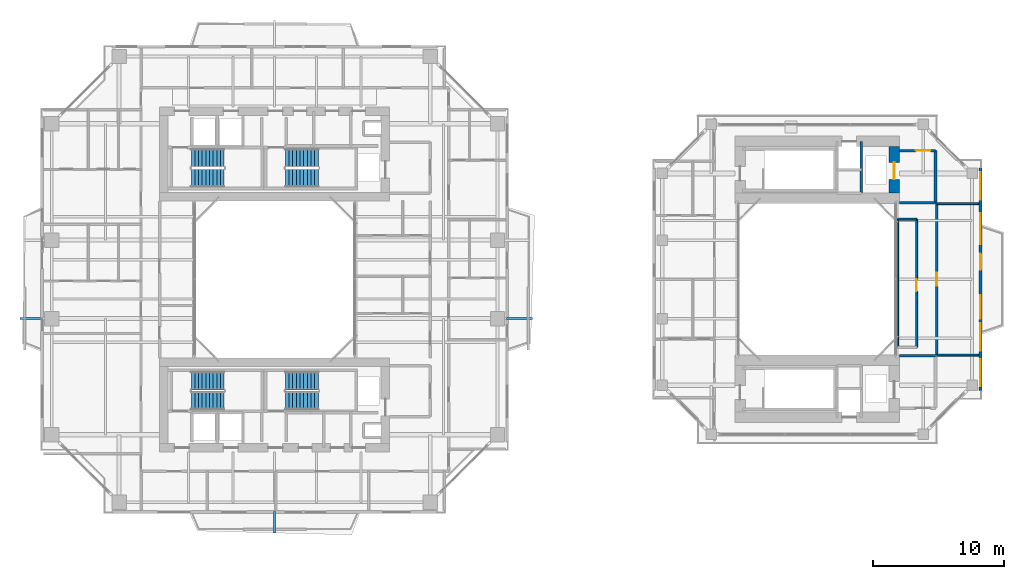
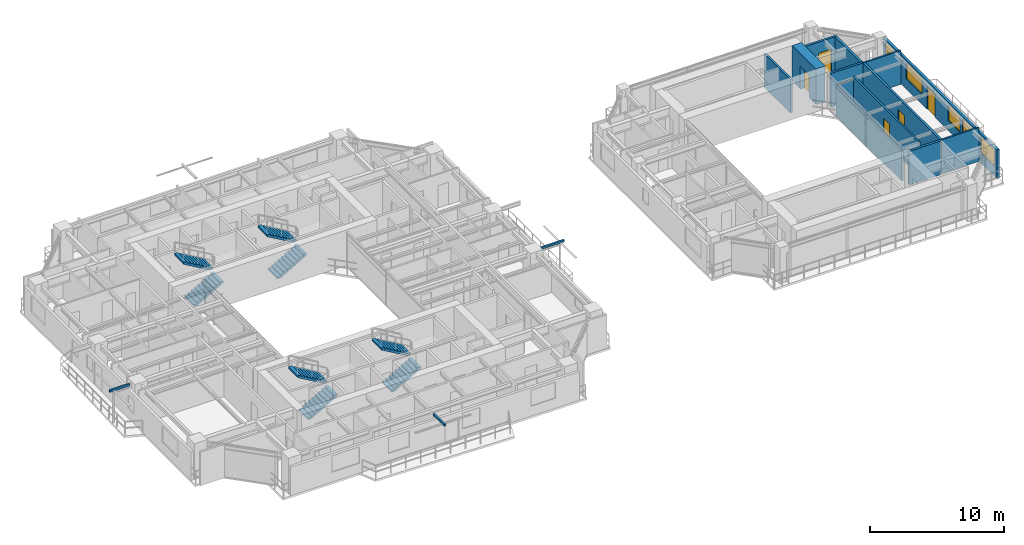
# One storey, part 19 of 24: 13 walls, 8 stair flights, 5 doors, 5 windows, 3 discrete accessories, 10 openings, 4 elements without a shape of their own.
"""IFC4 building model written with IfcOpenShell, lengths in metres."""

from ifc_helpers import new_model, si_unit, direction, frame, frame_2d, origin, origin_2d, place, context, subcontext, project, spatial, polyline, rectangle, outline, extrude, source, transform, mapped, material, layer, layer_set, type_object, element, fill, aggregate, save


model = new_model("IFC4")

# Units and contexts
model_context = context("Model", 3, precision=1e-05, world=origin(), true_north=direction((0.0, 1.0)))
body_context = subcontext(model_context, "Body", "Model", "MODEL_VIEW")
ifc_project = project(units=[si_unit("LENGTHUNIT", "METRE"), si_unit("AREAUNIT", "SQUARE_METRE"), si_unit("VOLUMEUNIT", "CUBIC_METRE"), si_unit("PLANEANGLEUNIT", "RADIAN"), si_unit("MASSUNIT", "GRAM", prefix="KILO"), si_unit("THERMODYNAMICTEMPERATUREUNIT", "KELVIN"), si_unit("POWERUNIT", "WATT")], contexts=[model_context])

# Site, building, storey
site_placement = place(None, origin())
site = spatial("IfcSite", under=ifc_project, at=site_placement, CompositionType="ELEMENT")
building_placement = place(site_placement, origin())
building = spatial("IfcBuilding", under=site, at=building_placement, Name="Qiaomeng Ring Towers", CompositionType="ELEMENT")
storey_placement = place(building_placement, frame((0.0, 0.0, 110.0)))
storey = spatial("IfcBuildingStorey", under=building, at=storey_placement, Name="L31", CompositionType="ELEMENT", Elevation=110.0)

# Wall, openings, windows, door
ifc_material_1 = material(Name="Precast concrete C40", Category="concrete")
ifc_layer_1 = layer(ifc_material_1, 0.219970703125, Name="Precast concrete C40")
ifc_layer_set_1 = layer_set([ifc_layer_1], Name="Precast concrete C40")
wall_type_1 = type_object("IfcWallType", Name="ARC-WL-EW2", PredefinedType="STANDARD", material=ifc_layer_set_1)
wall_1_placement = place(storey_placement, frame((72.989990234375, 14.5, 0.0), z_axis=(0.0, 0.0, 1.0), x_axis=(0.0, 1.0, 0.0)))
wall_1 = element("IfcWall", 1, at=wall_1_placement, inside=storey, type_object=wall_type_1, Name="L31 Companion East Wall", PredefinedType="STANDARD", context=body_context, shape_type="SweptSolid", body=[
    extrude(rectangle(XDim=17.0, YDim=0.219970703125, at=frame_2d((8.5, 0.0))), origin(), (0.0, 0.0, 1.0), 2.610107421875),
])
opening_1_placement = place(wall_1_placement, frame((9.25, 0.0, 0.0)))
opening_1 = element("IfcOpeningElement", 2, at=opening_1_placement, cuts=wall_1, Name="Opening BD1", PredefinedType="OPENING", context=body_context, shape_type="SweptSolid", body=[
    extrude(rectangle(XDim=1.199951171875, YDim=2.10009765625, at=frame_2d((0.60009765625, 1.050048828125))), frame((0.0, 0.119873046875, 0.0), z_axis=(0.0, -1.0, 0.0), x_axis=(1.0, 0.0, 0.0)), (0.0, 0.0, 1.0), 0.239990234375),
])
opening_2_placement = place(wall_1_placement, frame((0.3076171875, 0.0, 0.89990234375)))
opening_2 = element("IfcOpeningElement", 3, at=opening_2_placement, cuts=wall_1, Name="Opening WN4", PredefinedType="OPENING", context=body_context, shape_type="SweptSolid", body=[
    extrude(rectangle(XDim=2.10009765625, YDim=1.5, at=frame_2d((1.050048828125, 0.75))), frame((0.0, 0.119873046875, 0.0), z_axis=(0.0, -1.0, 0.0), x_axis=(1.0, 0.0, 0.0)), (0.0, 0.0, 1.0), 0.239990234375),
])
opening_3_placement = place(wall_1_placement, frame((5.47509765625, 0.0, 0.89990234375)))
opening_3 = element("IfcOpeningElement", 4, at=opening_3_placement, cuts=wall_1, Name="Opening WN1", PredefinedType="OPENING", context=body_context, shape_type="SweptSolid", body=[
    extrude(rectangle(XDim=1.800048828125, YDim=1.449951171875, at=frame_2d((0.89990234375, 0.72509765625))), frame((0.0, 0.119873046875, 0.0), z_axis=(0.0, -1.0, 0.0), x_axis=(1.0, 0.0, 0.0)), (0.0, 0.0, 1.0), 0.239990234375),
])
opening_4_placement = place(wall_1_placement, frame((14.592529296875, 0.0, 0.89990234375)))
opening_4 = element("IfcOpeningElement", 5, at=opening_4_placement, cuts=wall_1, Name="Opening WN4", PredefinedType="OPENING", context=body_context, shape_type="SweptSolid", body=[
    extrude(rectangle(XDim=2.10009765625, YDim=1.5, at=frame_2d((1.050048828125, 0.75))), frame((0.0, 0.119873046875, 0.0), z_axis=(0.0, -1.0, 0.0), x_axis=(1.0, 0.0, 0.0)), (0.0, 0.0, 1.0), 0.239990234375),
])
opening_5_placement = place(wall_1_placement, frame((3.054931640625, 0.0, 0.89990234375)))
opening_5 = element("IfcOpeningElement", 6, at=opening_5_placement, cuts=wall_1, Name="Opening WN4", PredefinedType="OPENING", context=body_context, shape_type="SweptSolid", body=[
    extrude(rectangle(XDim=2.10009765625, YDim=1.5, at=frame_2d((1.050048828125, 0.75))), frame((0.0, 0.119873046875, 0.0), z_axis=(0.0, -1.0, 0.0), x_axis=(1.0, 0.0, 0.0)), (0.0, 0.0, 1.0), 0.239990234375),
])
opening_6_placement = place(wall_1_placement, frame((11.16748046875, 0.0, 0.89990234375)))
opening_6 = element("IfcOpeningElement", 7, at=opening_6_placement, cuts=wall_1, Name="Opening WN6", PredefinedType="OPENING", context=body_context, shape_type="SweptSolid", body=[
    extrude(rectangle(XDim=2.39990234375, YDim=1.5, at=frame_2d((1.199951171875, 0.75))), frame((0.0, 0.119873046875, 0.0), z_axis=(0.0, -1.0, 0.0), x_axis=(1.0, 0.0, 0.0)), (0.0, 0.0, 1.0), 0.239990234375),
])
ifc_material_2 = material(Name="Low-E dark-grey laminated double glazing", Category="glass")
window_type_1 = type_object("IfcWindowType", Name="ARC-WN-4", PartitioningType="TRIPLE_PANEL_VERTICAL", PredefinedType="WINDOW", material=ifc_material_2)
shared_shape_1 = source(origin(), body_context, "Body", "SweptSolid", [
    extrude(rectangle(XDim=2.10009765625, YDim=1.5, at=frame_2d((1.050048828125, 0.75))), frame((0.0, 0.030029296875, 0.0), z_axis=(0.0, -1.0, 0.0), x_axis=(1.0, 0.0, 0.0)), (0.0, 0.0, 1.0), 0.06005859375),
])
window_1_placement = place(opening_2_placement, origin())
window_1 = element("IfcWindow", 8, at=window_1_placement, inside=storey, type_object=window_type_1, Name="L31 Exterior Window WN6", OverallHeight=1.5, OverallWidth=2.10009765625, PartitioningType="TRIPLE_PANEL_VERTICAL", PredefinedType="WINDOW", context=body_context, shape_type="MappedRepresentation", body=[
    mapped(shared_shape_1, transform((0.0, 0.0, 0.0), x_axis=(1.0, 0.0, 0.0), y_axis=(0.0, 1.0, 0.0), z_axis=(0.0, 0.0, 1.0), scale=1.0)),
])
fill(opening_2, window_1)
window_2_placement = place(opening_4_placement, origin())
window_2 = element("IfcWindow", 9, at=window_2_placement, inside=storey, type_object=window_type_1, Name="L31 Exterior Window WN4", OverallHeight=1.5, OverallWidth=2.10009765625, PartitioningType="TRIPLE_PANEL_VERTICAL", PredefinedType="WINDOW", context=body_context, shape_type="MappedRepresentation", body=[
    mapped(shared_shape_1, transform((0.0, 0.0, 0.0), x_axis=(1.0, 0.0, 0.0), y_axis=(0.0, 1.0, 0.0), z_axis=(0.0, 0.0, 1.0), scale=1.0)),
])
fill(opening_4, window_2)
window_3_placement = place(opening_5_placement, origin())
window_3 = element("IfcWindow", 10, at=window_3_placement, inside=storey, type_object=window_type_1, Name="L31 Exterior Window WN4", OverallHeight=1.5, OverallWidth=2.10009765625, PartitioningType="TRIPLE_PANEL_VERTICAL", PredefinedType="WINDOW", context=body_context, shape_type="MappedRepresentation", body=[
    mapped(shared_shape_1, transform((0.0, 0.0, 0.0), x_axis=(1.0, 0.0, 0.0), y_axis=(0.0, 1.0, 0.0), z_axis=(0.0, 0.0, 1.0), scale=1.0)),
])
fill(opening_5, window_3)
window_type_2 = type_object("IfcWindowType", Name="ARC-WN-1", PartitioningType="DOUBLE_PANEL_VERTICAL", PredefinedType="WINDOW", material=ifc_material_2)
shared_shape_2 = source(origin(), body_context, "Body", "SweptSolid", [
    extrude(rectangle(XDim=1.800048828125, YDim=1.449951171875, at=frame_2d((0.89990234375, 0.72509765625))), frame((0.0, 0.030029296875, 0.0), z_axis=(0.0, -1.0, 0.0), x_axis=(1.0, 0.0, 0.0)), (0.0, 0.0, 1.0), 0.06005859375),
])
window_4_placement = place(opening_3_placement, origin())
window_4 = element("IfcWindow", 11, at=window_4_placement, inside=storey, type_object=window_type_2, Name="L31 Exterior Window WN1", OverallHeight=1.449951171875, OverallWidth=1.800048828125, PartitioningType="DOUBLE_PANEL_VERTICAL", PredefinedType="WINDOW", context=body_context, shape_type="MappedRepresentation", body=[
    mapped(shared_shape_2, transform((0.0, 0.0, 0.0), x_axis=(1.0, 0.0, 0.0), y_axis=(0.0, 1.0, 0.0), z_axis=(0.0, 0.0, 1.0), scale=1.0)),
])
fill(opening_3, window_4)
door_type_1 = type_object("IfcDoorType", Name="ARC-DR-BD1", OperationType="NOTDEFINED", PredefinedType="DOOR", material=ifc_material_2)
shared_shape_3 = source(origin(), body_context, "Body", "SweptSolid", [
    extrude(rectangle(XDim=1.199951171875, YDim=2.10009765625, at=frame_2d((0.60009765625, 1.050048828125))), frame((0.0, 0.02490234375, 0.0), z_axis=(0.0, -1.0, 0.0), x_axis=(1.0, 0.0, 0.0)), (0.0, 0.0, 1.0), 0.050048828125),
])
door_1_placement = place(opening_1_placement, origin())
door_1 = element("IfcDoor", 12, at=door_1_placement, inside=storey, type_object=door_type_1, Name="L31 Companion East Balcony Door", OperationType="SINGLE_SWING_LEFT", OverallHeight=2.10009765625, OverallWidth=1.199951171875, PredefinedType="DOOR", context=body_context, shape_type="MappedRepresentation", body=[
    mapped(shared_shape_3, transform((0.0, 0.0, 0.0), x_axis=(1.0, 0.0, 0.0), y_axis=(0.0, 1.0, 0.0), z_axis=(0.0, 0.0, 1.0), scale=1.0)),
])
fill(opening_1, door_1)
window_type_3 = type_object("IfcWindowType", Name="ARC-WN-6", PartitioningType="TRIPLE_PANEL_VERTICAL", PredefinedType="WINDOW", material=ifc_material_2)
shared_shape_4 = source(origin(), body_context, "Body", "SweptSolid", [
    extrude(rectangle(XDim=2.39990234375, YDim=1.5, at=frame_2d((1.199951171875, 0.75))), frame((0.0, 0.030029296875, 0.0), z_axis=(0.0, -1.0, 0.0), x_axis=(1.0, 0.0, 0.0)), (0.0, 0.0, 1.0), 0.06005859375),
])
window_5_placement = place(opening_6_placement, origin())
window_5 = element("IfcWindow", 13, at=window_5_placement, inside=storey, type_object=window_type_3, Name="L31 Exterior Window WN6", OverallHeight=1.5, OverallWidth=2.39990234375, PartitioningType="TRIPLE_PANEL_VERTICAL", PredefinedType="WINDOW", context=body_context, shape_type="MappedRepresentation", body=[
    mapped(shared_shape_4, transform((0.0, 0.0, 0.0), x_axis=(1.0, 0.0, 0.0), y_axis=(0.0, 1.0, 0.0), z_axis=(0.0, 0.0, 1.0), scale=1.0)),
])
fill(opening_6, window_5)

# Walls
ifc_material_3 = material(Name="Autoclaved aerated concrete block", Category="concrete")
ifc_layer_2 = layer(ifc_material_3, 0.199951171875, Name="Autoclaved aerated concrete block")
ifc_layer_set_2 = layer_set([ifc_layer_2], Name="Autoclaved aerated concrete block")
wall_type_2 = type_object("IfcWallType", Name="ARC-WL-PW1", PredefinedType="PARTITIONING", material=ifc_layer_set_2)
wall_2_placement = place(storey_placement, frame((66.800048828125, 28.85009765625, 0.0), z_axis=(0.0, 0.0, 1.0), x_axis=(1.0, 0.0, 0.0)))
element("IfcWall", 14, at=wall_2_placement, inside=storey, type_object=wall_type_2, Name="L31 Interior Wall PW1", PredefinedType="PARTITIONING", context=body_context, shape_type="SweptSolid", body=[
    extrude(rectangle(XDim=2.75, YDim=0.199951171875, at=frame_2d((1.375, 0.0))), origin(), (0.0, 0.0, 1.0), 3.070068359375),
])
wall_3_placement = place(storey_placement, frame((69.550048828125, 28.85009765625, 0.0), z_axis=(0.0, 0.0, 1.0), x_axis=(0.0, 1.0, 0.0)))
element("IfcWall", 15, at=wall_3_placement, inside=storey, type_object=wall_type_2, Name="L31 Interior Wall PW1", PredefinedType="PARTITIONING", context=body_context, shape_type="SweptSolid", body=[
    extrude(rectangle(XDim=4.0, YDim=0.199951171875, at=frame_2d((2.0, 0.0))), origin(), (0.0, 0.0, 1.0), 3.070068359375),
])

# Wall, opening, door
wall_4_placement = place(storey_placement, frame((66.800048828125, 32.85009765625, 0.0), z_axis=(0.0, 0.0, 1.0), x_axis=(1.0, 0.0, 0.0)))
wall_4 = element("IfcWall", 16, at=wall_4_placement, inside=storey, type_object=wall_type_2, Name="L31 Interior Wall PW1", PredefinedType="PARTITIONING", context=body_context, shape_type="SweptSolid", body=[
    extrude(rectangle(XDim=2.75, YDim=0.199951171875, at=frame_2d((1.375, 0.0))), origin(), (0.0, 0.0, 1.0), 3.070068359375),
])
opening_7_placement = place(wall_4_placement, frame((1.25, 0.0, 0.0)))
opening_7 = element("IfcOpeningElement", 17, at=opening_7_placement, cuts=wall_4, Name="Opening FD3", PredefinedType="OPENING", context=body_context, shape_type="SweptSolid", body=[
    extrude(rectangle(XDim=1.10009765625, YDim=2.050048828125, at=frame_2d((0.550048828125, 1.02490234375))), frame((0.0, 0.10986328125, 0.0), z_axis=(0.0, -1.0, 0.0), x_axis=(1.0, 0.0, 0.0)), (0.0, 0.0, 1.0), 0.219970703125),
])
ifc_material_4 = material(Name="Galvanised steel", Category="steel")
door_type_2 = type_object("IfcDoorType", Name="ARC-DR-FD3", OperationType="NOTDEFINED", PredefinedType="DOOR", material=ifc_material_4)
shared_shape_5 = source(origin(), body_context, "Body", "SweptSolid", [
    extrude(rectangle(XDim=1.10009765625, YDim=2.050048828125, at=frame_2d((0.550048828125, 1.02490234375))), frame((0.0, 0.02490234375, 0.0), z_axis=(0.0, -1.0, 0.0), x_axis=(1.0, 0.0, 0.0)), (0.0, 0.0, 1.0), 0.050048828125),
])
door_2_placement = place(opening_7_placement, origin())
door_2 = element("IfcDoor", 18, at=door_2_placement, inside=storey, type_object=door_type_2, Name="L31 Door FD3", OperationType="SINGLE_SWING_RIGHT", OverallHeight=2.050048828125, OverallWidth=1.10009765625, PredefinedType="DOOR", context=body_context, shape_type="MappedRepresentation", body=[
    mapped(shared_shape_5, transform((0.0, 0.0, 0.0), x_axis=(1.0, 0.0, 0.0), y_axis=(0.0, 1.0, 0.0), z_axis=(0.0, 0.0, 1.0), scale=1.0)),
])
fill(opening_7, door_2)

# Wall
wall_5_placement = place(storey_placement, frame((66.800048828125, 17.14990234375, 0.0), z_axis=(0.0, 0.0, 1.0), x_axis=(1.0, 0.0, 0.0)))
element("IfcWall", 19, at=wall_5_placement, inside=storey, type_object=wall_type_2, Name="L31 Interior Wall PW1", PredefinedType="PARTITIONING", context=body_context, shape_type="SweptSolid", body=[
    extrude(rectangle(XDim=2.75, YDim=0.199951171875, at=frame_2d((1.375, 0.0))), origin(), (0.0, 0.0, 1.0), 3.070068359375),
])

# Wall, opening, door
ifc_layer_3 = layer(ifc_material_3, 0.179931640625, Name="Autoclaved aerated concrete block")
ifc_layer_set_3 = layer_set([ifc_layer_3], Name="Autoclaved aerated concrete block")
wall_type_3 = type_object("IfcWallType", Name="ARC-WL-PW2", PredefinedType="PARTITIONING", material=ifc_layer_set_3)
wall_6_placement = place(storey_placement, frame((69.64990234375, 17.199951171875, 0.0), z_axis=(0.0, 0.0, 1.0), x_axis=(0.0, 1.0, 0.0)))
wall_6 = element("IfcWall", 20, at=wall_6_placement, inside=storey, type_object=wall_type_3, Name="L31 Interior Wall PW2", PredefinedType="PARTITIONING", context=body_context, shape_type="SweptSolid", body=[
    extrude(rectangle(XDim=11.60009765625, YDim=0.179931640625, at=frame_2d((5.800048828125, 0.0))), origin(), (0.0, 0.0, 1.0), 3.070068359375),
])
opening_8_placement = place(wall_6_placement, frame((5.300048828125, 0.0, 0.0)))
opening_8 = element("IfcOpeningElement", 21, at=opening_8_placement, cuts=wall_6, Name="Opening FD4", PredefinedType="OPENING", context=body_context, shape_type="SweptSolid", body=[
    extrude(rectangle(XDim=1.0, YDim=2.050048828125, at=frame_2d((0.5, 1.02490234375))), frame((0.0, 0.099853515625, 0.0), z_axis=(0.0, -1.0, 0.0), x_axis=(1.0, 0.0, 0.0)), (0.0, 0.0, 1.0), 0.199951171875),
])
ifc_material_5 = material(Name="Engineered fire-rated oak timber", Category="wood")
door_type_3 = type_object("IfcDoorType", Name="ARC-DR-FD4", OperationType="NOTDEFINED", PredefinedType="DOOR", material=ifc_material_5)
shared_shape_6 = source(origin(), body_context, "Body", "SweptSolid", [
    extrude(rectangle(XDim=1.0, YDim=2.050048828125, at=frame_2d((0.5, 1.02490234375))), frame((0.0, 0.02490234375, 0.0), z_axis=(0.0, -1.0, 0.0), x_axis=(1.0, 0.0, 0.0)), (0.0, 0.0, 1.0), 0.050048828125),
])
door_3_placement = place(opening_8_placement, origin())
door_3 = element("IfcDoor", 22, at=door_3_placement, inside=storey, type_object=door_type_3, Name="L31 Door FD4", OperationType="SINGLE_SWING_RIGHT", OverallHeight=2.050048828125, OverallWidth=1.0, PredefinedType="DOOR", context=body_context, shape_type="MappedRepresentation", body=[
    mapped(shared_shape_6, transform((0.0, 0.0, 0.0), x_axis=(1.0, 0.0, 0.0), y_axis=(0.0, 1.0, 0.0), z_axis=(0.0, 0.0, 1.0), scale=1.0)),
])
fill(opening_8, door_3)

# Walls
ifc_material_6 = material(Name="Gypsum fireboard steel-stud partition", Category="steel")
ifc_layer_4 = layer(ifc_material_6, 0.14990234375, Name="Gypsum fireboard steel-stud partition")
ifc_layer_set_4 = layer_set([ifc_layer_4], Name="Gypsum fireboard steel-stud partition")
wall_type_4 = type_object("IfcWallType", Name="ARC-WL-PW3", PredefinedType="PARTITIONING", material=ifc_layer_set_4)
for number, where, z_axis, x_axis, name in (
    (23, (69.64990234375, 17.199951171875, 0.0), (0.0, 0.0, 1.0), (1.0, 0.0, 0.0), "L31 Interior Wall PW3"),
    (24, (69.64990234375, 28.800048828125, 0.0), (0.0, 0.0, 1.0), (1.0, 0.0, 0.0), "L31 Interior Wall PW3"),
):
    element("IfcWall", number, at=place(storey_placement, frame(where, z_axis=z_axis, x_axis=x_axis)), inside=storey, type_object=wall_type_4, Name=name, PredefinedType="PARTITIONING", context=body_context, shape_type="SweptSolid", body=[
        extrude(rectangle(XDim=3.2001953125, YDim=0.14990234375, at=frame_2d((1.60009765625, 0.0))), origin(), (0.0, 0.0, 1.0), 3.070068359375),
    ])

# Wall, opening, door
wall_7_placement = place(storey_placement, frame((68.10009765625, 17.800048828125, 0.0), z_axis=(0.0, 0.0, 1.0), x_axis=(0.0, 1.0, 0.0)))
wall_7 = element("IfcWall", 25, at=wall_7_placement, inside=storey, type_object=wall_type_4, Name="L31 Interior Wall PW3", PredefinedType="PARTITIONING", context=body_context, shape_type="SweptSolid", body=[
    extrude(rectangle(XDim=9.800048828125, YDim=0.14990234375, at=frame_2d((4.89990234375, 0.0))), origin(), (0.0, 0.0, 1.0), 3.070068359375),
])
opening_9_placement = place(wall_7_placement, frame((4.300048828125, 0.0, 0.0)))
opening_9 = element("IfcOpeningElement", 26, at=opening_9_placement, cuts=wall_7, Name="Opening ID1", PredefinedType="OPENING", context=body_context, shape_type="SweptSolid", body=[
    extrude(rectangle(XDim=0.89990234375, YDim=2.050048828125, at=frame_2d((0.449951171875, 1.02490234375))), frame((0.0, 0.0849609375, 0.0), z_axis=(0.0, -1.0, 0.0), x_axis=(1.0, 0.0, 0.0)), (0.0, 0.0, 1.0), 0.169921875),
])
ifc_material_7 = material(Name="Engineered oak timber", Category="wood")
door_type_4 = type_object("IfcDoorType", Name="ARC-DR-ID1", OperationType="NOTDEFINED", PredefinedType="DOOR", material=ifc_material_7)
shared_shape_7 = source(origin(), body_context, "Body", "SweptSolid", [
    extrude(rectangle(XDim=0.89990234375, YDim=2.050048828125, at=frame_2d((0.449951171875, 1.02490234375))), frame((0.0, 0.02490234375, 0.0), z_axis=(0.0, -1.0, 0.0), x_axis=(1.0, 0.0, 0.0)), (0.0, 0.0, 1.0), 0.050048828125),
])
door_4_placement = place(opening_9_placement, origin())
door_4 = element("IfcDoor", 27, at=door_4_placement, inside=storey, type_object=door_type_4, Name="L31 Door ID1", OperationType="SINGLE_SWING_LEFT", OverallHeight=2.050048828125, OverallWidth=0.89990234375, PredefinedType="DOOR", context=body_context, shape_type="MappedRepresentation", body=[
    mapped(shared_shape_7, transform((0.0, 0.0, 0.0), x_axis=(1.0, 0.0, 0.0), y_axis=(0.0, 1.0, 0.0), z_axis=(0.0, 0.0, 1.0), scale=1.0)),
])
fill(opening_9, door_4)

# Walls
wall_8_placement = place(storey_placement, frame((66.64990234375, 27.60009765625, 0.0), z_axis=(0.0, 0.0, 1.0), x_axis=(1.0, 0.0, 0.0)))
element("IfcWall", 28, at=wall_8_placement, inside=storey, type_object=wall_type_4, Name="L31 Interior Wall PW3", PredefinedType="PARTITIONING", context=body_context, shape_type="SweptSolid", body=[
    extrude(rectangle(XDim=1.4501953125, YDim=0.14990234375, at=frame_2d((0.72509765625, 0.0))), origin(), (0.0, 0.0, 1.0), 2.821044921875),
])
wall_9_placement = place(storey_placement, frame((66.64990234375, 17.800048828125, 0.0), z_axis=(0.0, 0.0, 1.0), x_axis=(0.0, 1.0, 0.0)))
element("IfcWall", 29, at=wall_9_placement, inside=storey, type_object=wall_type_4, Name="L31 Interior Wall PW3", PredefinedType="PARTITIONING", context=body_context, shape_type="SweptSolid", body=[
    extrude(rectangle(XDim=9.800048828125, YDim=0.14990234375, at=frame_2d((4.89990234375, 0.0))), origin(), (0.0, 0.0, 1.0), 2.6650390625),
])
ifc_material_8 = material(Name="Concrete C40", Category="concrete")
ifc_layer_5 = layer(ifc_material_8, 0.199951171875, Name="Concrete C40")
ifc_layer_set_5 = layer_set([ifc_layer_5], Name="Concrete C40")
wall_type_5 = type_object("IfcWallType", Name="STR-WL-STSHAFT", PredefinedType="SHEAR", material=ifc_layer_set_5)
wall_10_placement = place(storey_placement, frame((63.8798828125, 29.60009765625, 0.0), z_axis=(0.0, 0.0, 1.0), x_axis=(0.0, 1.0, 0.0)))
element("IfcWall", 30, at=wall_10_placement, inside=storey, type_object=wall_type_5, Name="L31 Companion Lift Shaft East Wall N", PredefinedType="SHEAR", context=body_context, shape_type="SweptSolid", body=[
    extrude(rectangle(XDim=3.949951171875, YDim=0.179931640625, at=frame_2d((1.97509765625, 0.0))), origin(), (0.0, 0.0, 1.0), 3.070068359375),
])

# Wall, opening, door
ifc_material_9 = material(Name="Concrete C60", Category="concrete")
ifc_layer_6 = layer(ifc_material_9, 0.800048828125, Name="Concrete C60")
ifc_layer_set_6 = layer_set([ifc_layer_6], Name="Concrete C60")
wall_type_6 = type_object("IfcWallType", Name="STR-WL-SW1", PredefinedType="SHEAR", material=ifc_layer_set_6)
wall_11_placement = place(storey_placement, frame((66.39990234375, 29.60009765625, 0.0), z_axis=(0.0, 0.0, 1.0), x_axis=(0.0, 1.0, 0.0)))
wall_11 = element("IfcWall", 31, at=wall_11_placement, inside=storey, type_object=wall_type_6, Name="L31 T2NC east core shear wall", PredefinedType="SHEAR", context=body_context, shape_type="SweptSolid", body=[
    extrude(rectangle(XDim=3.5498046875, YDim=0.800048828125, at=frame_2d((1.77490234375, 0.0))), origin(), (0.0, 0.0, 1.0), 3.25),
])
opening_10_placement = place(wall_11_placement, frame((1.050048828125, 0.0, 0.0)))
opening_10 = element("IfcOpeningElement", 32, at=opening_10_placement, cuts=wall_11, Name="Opening LD2", PredefinedType="OPENING", context=body_context, shape_type="SweptSolid", body=[
    extrude(rectangle(XDim=1.300048828125, YDim=2.050048828125, at=frame_2d((0.64990234375, 1.02490234375))), frame((0.0, 0.409912109375, 0.0), z_axis=(0.0, -1.0, 0.0), x_axis=(1.0, 0.0, 0.0)), (0.0, 0.0, 1.0), 0.820068359375),
])
ifc_material_10 = material(Name="Stainless steel 316", Category="steel")
door_type_5 = type_object("IfcDoorType", Name="ARC-DR-LD2", OperationType="NOTDEFINED", PredefinedType="DOOR", material=ifc_material_10)
shared_shape_8 = source(origin(), body_context, "Body", "SweptSolid", [
    extrude(rectangle(XDim=1.300048828125, YDim=2.050048828125, at=frame_2d((0.64990234375, 1.02490234375))), frame((0.0, 0.02490234375, 0.0), z_axis=(0.0, -1.0, 0.0), x_axis=(1.0, 0.0, 0.0)), (0.0, 0.0, 1.0), 0.050048828125),
])
door_5_placement = place(opening_10_placement, origin())
door_5 = element("IfcDoor", 33, at=door_5_placement, inside=storey, type_object=door_type_5, Name="L31 Firefighting Lift FL3 Landing Door", OperationType="SLIDING_TO_LEFT", OverallHeight=2.050048828125, OverallWidth=1.300048828125, PredefinedType="DOOR", context=body_context, shape_type="MappedRepresentation", body=[
    mapped(shared_shape_8, transform((0.0, 0.0, 0.0), x_axis=(1.0, 0.0, 0.0), y_axis=(0.0, 1.0, 0.0), z_axis=(0.0, 0.0, 1.0), scale=1.0)),
])
fill(opening_10, door_5)

# Stair, stair flights
stair_type = type_object("IfcStairType", Name="ARC-ST-325", PredefinedType="HALF_TURN_STAIR", material=ifc_material_1)
stair_1_placement = place(storey_placement, origin())
stair_1 = element("IfcStair", 34, at=stair_1_placement, inside=storey, type_object=stair_type, Name="L31 Tower 1 North Stair 1", PredefinedType="HALF_TURN_STAIR")
stair_flight_type = type_object("IfcStairFlightType", Name="ARC-ST-325-FL", PredefinedType="STRAIGHT", material=ifc_material_1)
shared_shape_9 = source(origin(), body_context, "Body", "SweptSolid", [
    extrude(outline(polyline([(0.0, 0.0), (0.0, 0.16259765625), (0.280029296875, 0.16259765625), (0.280029296875, 0.324951171875), (0.56005859375, 0.324951171875), (0.56005859375, 0.487548828125), (0.840087890625, 0.487548828125), (0.840087890625, 0.64990234375), (1.1201171875, 0.64990234375), (1.1201171875, 0.8125), (1.39990234375, 0.8125), (1.39990234375, 0.97509765625), (1.679931640625, 0.97509765625), (1.679931640625, 1.137451171875), (1.9599609375, 1.137451171875), (1.9599609375, 1.300048828125), (2.239990234375, 1.300048828125), (2.239990234375, 1.46240234375), (2.52001953125, 1.46240234375), (2.52001953125, 1.625), (2.52001953125, 1.2890625), (0.298583984375, 0.0), (0.0, 0.0)])), frame((0.0, 0.699951171875, 0.0), z_axis=(0.0, -1.0, 0.0), x_axis=(1.0, 0.0, 0.0)), (0.0, 0.0, 1.0), 1.39990234375),
])
stair_flight_1_placement = place(storey_placement, frame((12.6201171875, 30.75, 0.0), z_axis=(0.0, 0.0, 1.0), x_axis=(1.0, 0.0, 0.0)))
stair_flight_1 = element("IfcStairFlight", 35, at=stair_flight_1_placement, type_object=stair_flight_type, Name="ST1 flight 1", NumberOfRisers=10, NumberOfTreads=9, PredefinedType="STRAIGHT", RiserHeight=0.1625, TreadLength=0.28, context=body_context, shape_type="MappedRepresentation", body=[
    mapped(shared_shape_9, transform((0.0, 0.0, 0.0), x_axis=(1.0, 0.0, 0.0), y_axis=(0.0, 1.0, 0.0), z_axis=(0.0, 0.0, 1.0), scale=1.0)),
])
stair_flight_2_placement = place(storey_placement, frame((15.139892578125, 32.2900390625, 1.625), z_axis=(0.0, 0.0, 1.0), x_axis=(-1.0, 0.0, 0.0)))
stair_flight_2 = element("IfcStairFlight", 36, at=stair_flight_2_placement, type_object=stair_flight_type, Name="ST1 flight 2", NumberOfRisers=10, NumberOfTreads=9, PredefinedType="STRAIGHT", RiserHeight=0.1625, TreadLength=0.28, context=body_context, shape_type="MappedRepresentation", body=[
    mapped(shared_shape_9, transform((0.0, 0.0, 0.0), x_axis=(1.0, 0.0, 0.0), y_axis=(0.0, 1.0, 0.0), z_axis=(0.0, 0.0, 1.0), scale=1.0)),
])
aggregate(stair_1, [stair_flight_1, stair_flight_2])

stair_2_placement = place(storey_placement, origin())
stair_2 = element("IfcStair", 37, at=stair_2_placement, inside=storey, type_object=stair_type, Name="L31 Tower 1 North Stair 2", PredefinedType="HALF_TURN_STAIR")
stair_flight_3_placement = place(storey_placement, frame((19.820068359375, 30.75, 0.0), z_axis=(0.0, 0.0, 1.0), x_axis=(1.0, 0.0, 0.0)))
stair_flight_3 = element("IfcStairFlight", 38, at=stair_flight_3_placement, type_object=stair_flight_type, Name="ST2 flight 1", NumberOfRisers=10, NumberOfTreads=9, PredefinedType="STRAIGHT", RiserHeight=0.1625, TreadLength=0.28, context=body_context, shape_type="MappedRepresentation", body=[
    mapped(shared_shape_9, transform((0.0, 0.0, 0.0), x_axis=(1.0, 0.0, 0.0), y_axis=(0.0, 1.0, 0.0), z_axis=(0.0, 0.0, 1.0), scale=1.0)),
])
stair_flight_4_placement = place(storey_placement, frame((22.340087890625, 32.2900390625, 1.625), z_axis=(0.0, 0.0, 1.0), x_axis=(-1.0, 0.0, 0.0)))
stair_flight_4 = element("IfcStairFlight", 39, at=stair_flight_4_placement, type_object=stair_flight_type, Name="ST2 flight 2", NumberOfRisers=10, NumberOfTreads=9, PredefinedType="STRAIGHT", RiserHeight=0.1625, TreadLength=0.28, context=body_context, shape_type="MappedRepresentation", body=[
    mapped(shared_shape_9, transform((0.0, 0.0, 0.0), x_axis=(1.0, 0.0, 0.0), y_axis=(0.0, 1.0, 0.0), z_axis=(0.0, 0.0, 1.0), scale=1.0)),
])
aggregate(stair_2, [stair_flight_3, stair_flight_4])

stair_3_placement = place(storey_placement, origin())
stair_3 = element("IfcStair", 40, at=stair_3_placement, inside=storey, type_object=stair_type, Name="L31 Tower 1 South Stair 3", PredefinedType="HALF_TURN_STAIR")
stair_flight_5_placement = place(storey_placement, frame((12.6201171875, 13.7099609375, 0.0), z_axis=(0.0, 0.0, 1.0), x_axis=(1.0, 0.0, 0.0)))
stair_flight_5 = element("IfcStairFlight", 41, at=stair_flight_5_placement, type_object=stair_flight_type, Name="ST3 flight 1", NumberOfRisers=10, NumberOfTreads=9, PredefinedType="STRAIGHT", RiserHeight=0.1625, TreadLength=0.28, context=body_context, shape_type="MappedRepresentation", body=[
    mapped(shared_shape_9, transform((0.0, 0.0, 0.0), x_axis=(1.0, 0.0, 0.0), y_axis=(0.0, 1.0, 0.0), z_axis=(0.0, 0.0, 1.0), scale=1.0)),
])
stair_flight_6_placement = place(storey_placement, frame((15.139892578125, 15.25, 1.625), z_axis=(0.0, 0.0, 1.0), x_axis=(-1.0, 0.0, 0.0)))
stair_flight_6 = element("IfcStairFlight", 42, at=stair_flight_6_placement, type_object=stair_flight_type, Name="ST3 flight 2", NumberOfRisers=10, NumberOfTreads=9, PredefinedType="STRAIGHT", RiserHeight=0.1625, TreadLength=0.28, context=body_context, shape_type="MappedRepresentation", body=[
    mapped(shared_shape_9, transform((0.0, 0.0, 0.0), x_axis=(1.0, 0.0, 0.0), y_axis=(0.0, 1.0, 0.0), z_axis=(0.0, 0.0, 1.0), scale=1.0)),
])
aggregate(stair_3, [stair_flight_5, stair_flight_6])

stair_4_placement = place(storey_placement, origin())
stair_4 = element("IfcStair", 43, at=stair_4_placement, inside=storey, type_object=stair_type, Name="L31 Tower 1 South Stair 4", PredefinedType="HALF_TURN_STAIR")
stair_flight_7_placement = place(storey_placement, frame((19.820068359375, 13.7099609375, 0.0), z_axis=(0.0, 0.0, 1.0), x_axis=(1.0, 0.0, 0.0)))
stair_flight_7 = element("IfcStairFlight", 44, at=stair_flight_7_placement, type_object=stair_flight_type, Name="ST4 flight 1", NumberOfRisers=10, NumberOfTreads=9, PredefinedType="STRAIGHT", RiserHeight=0.1625, TreadLength=0.28, context=body_context, shape_type="MappedRepresentation", body=[
    mapped(shared_shape_9, transform((0.0, 0.0, 0.0), x_axis=(1.0, 0.0, 0.0), y_axis=(0.0, 1.0, 0.0), z_axis=(0.0, 0.0, 1.0), scale=1.0)),
])
stair_flight_8_placement = place(storey_placement, frame((22.340087890625, 15.25, 1.625), z_axis=(0.0, 0.0, 1.0), x_axis=(-1.0, 0.0, 0.0)))
stair_flight_8 = element("IfcStairFlight", 45, at=stair_flight_8_placement, type_object=stair_flight_type, Name="ST4 flight 2", NumberOfRisers=10, NumberOfTreads=9, PredefinedType="STRAIGHT", RiserHeight=0.1625, TreadLength=0.28, context=body_context, shape_type="MappedRepresentation", body=[
    mapped(shared_shape_9, transform((0.0, 0.0, 0.0), x_axis=(1.0, 0.0, 0.0), y_axis=(0.0, 1.0, 0.0), z_axis=(0.0, 0.0, 1.0), scale=1.0)),
])
aggregate(stair_4, [stair_flight_7, stair_flight_8])

# Discrete accessories
discrete_accessory_type = type_object("IfcDiscreteAccessoryType", Name="ARC-ACC-BRACKET", PredefinedType="BRACKET", material=ifc_material_10)
shared_shape_10 = source(origin(), body_context, "Body", "SweptSolid", [
    extrude(rectangle(XDim=0.159912109375, YDim=1.64990234375, at=origin_2d()), origin(), (0.0, 0.0, 1.0), 0.179931640625),
])
discrete_accessory_1_placement = place(storey_placement, frame((19.0, 4.425048828125, 2.89990234375), z_axis=(0.0, 0.0, 1.0), x_axis=(1.0, 0.0, 0.0)))
element("IfcDiscreteAccessory", 46, at=discrete_accessory_1_placement, inside=storey, type_object=discrete_accessory_type, Name="L31 Stainless Outer-Skin Tie Bracket S", PredefinedType="BRACKET", context=body_context, shape_type="MappedRepresentation", body=[
    mapped(shared_shape_10, transform((0.0, 0.0, 0.0), x_axis=(1.0, 0.0, 0.0), y_axis=(0.0, 1.0, 0.0), z_axis=(0.0, 0.0, 1.0), scale=1.0)),
])
shared_shape_11 = source(origin(), body_context, "Body", "SweptSolid", [
    extrude(rectangle(XDim=1.989990234375, YDim=0.159912109375, at=origin_2d()), origin(), (0.0, 0.0, 1.0), 0.179931640625),
])
discrete_accessory_2_placement = place(storey_placement, frame((37.7451171875, 20.0, 2.89990234375), z_axis=(0.0, 0.0, 1.0), x_axis=(1.0, 0.0, 0.0)))
element("IfcDiscreteAccessory", 47, at=discrete_accessory_2_placement, inside=storey, type_object=discrete_accessory_type, Name="L31 Stainless Outer-Skin Tie Bracket E", PredefinedType="BRACKET", context=body_context, shape_type="MappedRepresentation", body=[
    mapped(shared_shape_11, transform((0.0, 0.0, 0.0), x_axis=(1.0, 0.0, 0.0), y_axis=(0.0, 1.0, 0.0), z_axis=(0.0, 0.0, 1.0), scale=1.0)),
])
shared_shape_12 = source(origin(), body_context, "Body", "SweptSolid", [
    extrude(rectangle(XDim=1.72998046875, YDim=0.159912109375, at=origin_2d()), origin(), (0.0, 0.0, 1.0), 0.179931640625),
])
discrete_accessory_3_placement = place(storey_placement, frame((0.385009765625, 20.0, 2.89990234375), z_axis=(0.0, 0.0, 1.0), x_axis=(1.0, 0.0, 0.0)))
element("IfcDiscreteAccessory", 48, at=discrete_accessory_3_placement, inside=storey, type_object=discrete_accessory_type, Name="L31 Stainless Outer-Skin Tie Bracket W", PredefinedType="BRACKET", context=body_context, shape_type="MappedRepresentation", body=[
    mapped(shared_shape_12, transform((0.0, 0.0, 0.0), x_axis=(1.0, 0.0, 0.0), y_axis=(0.0, 1.0, 0.0), z_axis=(0.0, 0.0, 1.0), scale=1.0)),
])

save(model, "model.ifc")
